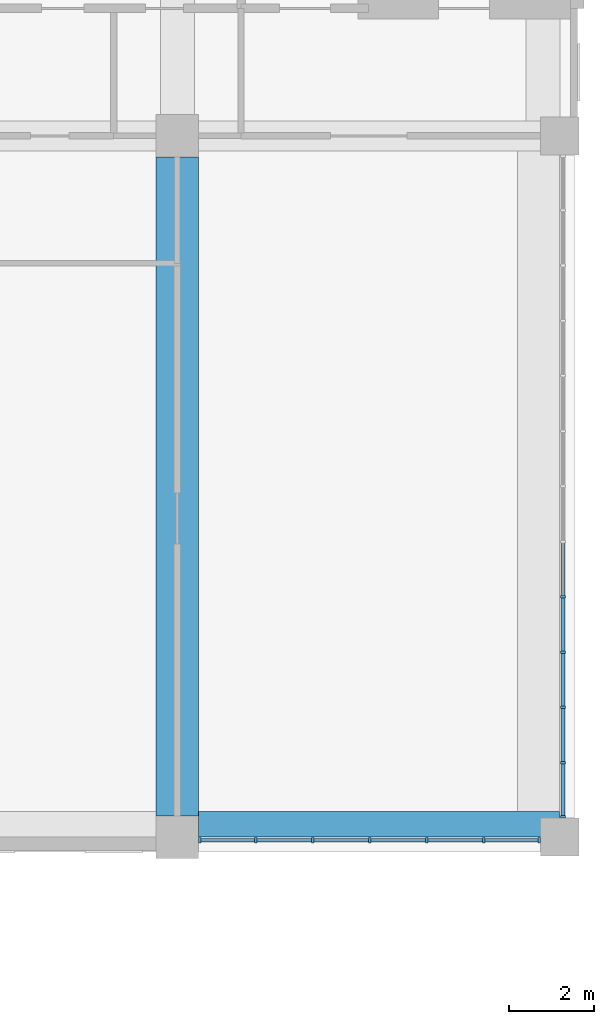
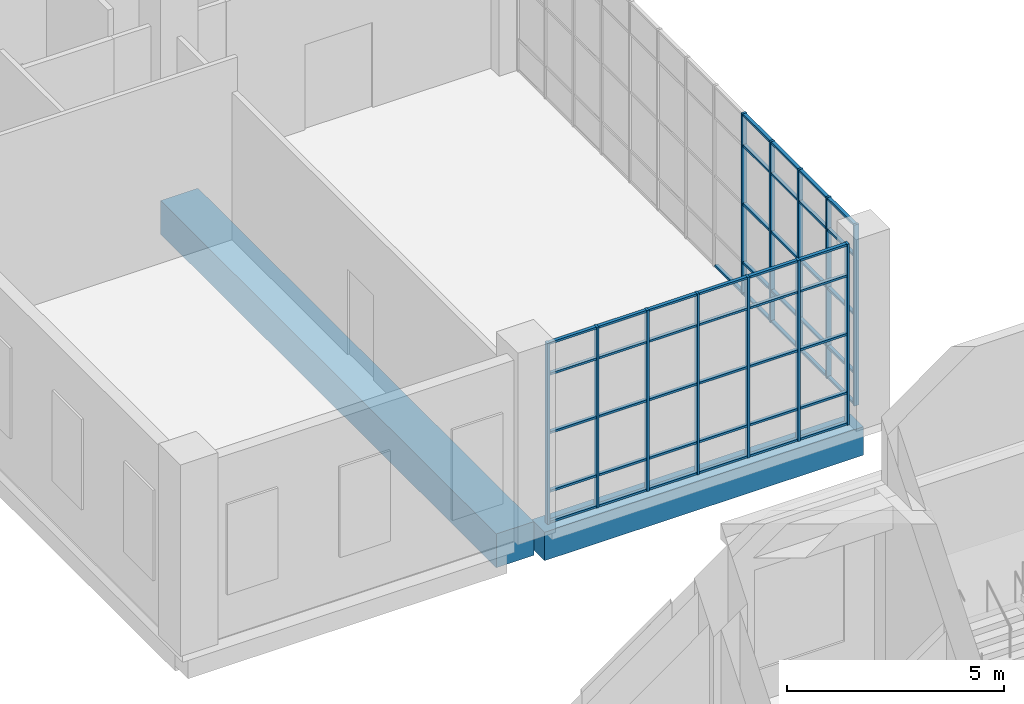
# One storey, part 18 of 52: 63 members, 2 beams, 2 elements without a shape of their own.
"""IFC4 building model written with IfcOpenShell, lengths in metres."""

from ifc_helpers import new_model, si_unit, direction, frame, origin, origin_2d, place, context, subcontext, project, spatial, rectangle, extrude, material, layer, layer_set, material_profile, profile_set, type_object, element, aggregate, save


model = new_model("IFC4")

# Units and contexts
model_context = context("Model", 3, precision=1e-05, world=origin(), true_north=direction((0.0, 1.0)))
body_context = subcontext(model_context, "Body", "Model", "MODEL_VIEW")
ifc_project = project(units=[si_unit("LENGTHUNIT", "METRE"), si_unit("AREAUNIT", "SQUARE_METRE"), si_unit("VOLUMEUNIT", "CUBIC_METRE"), si_unit("PLANEANGLEUNIT", "RADIAN"), si_unit("MASSUNIT", "GRAM", prefix="KILO")], contexts=[model_context])

# Site, building, storey
site_placement = place(None, origin())
site = spatial("IfcSite", under=ifc_project, at=site_placement, CompositionType="ELEMENT")
building_placement = place(site_placement, origin())
building = spatial("IfcBuilding", under=site, at=building_placement, Name="Aurelan Courthouse", CompositionType="ELEMENT")
storey_placement = place(building_placement, frame((0.0, 0.0, 6.60009765625)))
storey = spatial("IfcBuildingStorey", under=building, at=storey_placement, Name="L01", CompositionType="ELEMENT", Elevation=6.60009765625)

# Curtain wall, members
ifc_material_1 = material(Name="Bronze-finished aluminium and glass", Category="aluminium")
ifc_layer_1 = layer(ifc_material_1, 0.14990234375)
ifc_layer_set_1 = layer_set([ifc_layer_1], Name="Bronze-finished aluminium and glass")
curtain_wall_type_1 = type_object("IfcCurtainWallType", Name="Curtain wall 8050 x 5100", PredefinedType="NOTDEFINED", material=ifc_layer_set_1)
curtain_wall_1_placement = place(storey_placement, origin())
curtain_wall_1 = element("IfcCurtainWall", 1, at=curtain_wall_1_placement, inside=storey, type_object=curtain_wall_type_1, Name="Curtain wall CW-V3-L01-S01", PredefinedType="NOTDEFINED")
ifc_material_2 = material(Name="Bronze-finished aluminium", Category="aluminium")
ifc_material_profile_1 = material_profile(ifc_material_2, rectangle(XDim=0.125, YDim=0.06005859375, at=origin_2d()), Name="Bronze mullion 60 x 125")
ifc_profile_set_1 = profile_set([ifc_material_profile_1], Name="Bronze-finished aluminium")
member_type_1 = type_object("IfcMemberType", Name="Curtain wall mullion 60 x 125", PredefinedType="MULLION", material=ifc_profile_set_1)
member_1_placement = place(storey_placement, frame((81.530029296875, 37.425048828125, 0.0), z_axis=(0.0, 0.0, 1.0), x_axis=(0.0, 1.0, 0.0)))
member_1 = element("IfcMember", 2, at=member_1_placement, type_object=member_type_1, Name="CW-V3-L01-S01 mullion 1", PredefinedType="MULLION", context=body_context, shape_type="SweptSolid", body=[
    extrude(rectangle(XDim=0.125, YDim=0.06005859375, at=origin_2d()), origin(), (0.0, 0.0, 1.0), 5.099853515625),
])
member_2_placement = place(storey_placement, frame((82.841552734375, 37.425048828125, 0.0), z_axis=(0.0, 0.0, 1.0), x_axis=(0.0, 1.0, 0.0)))
member_2 = element("IfcMember", 3, at=member_2_placement, type_object=member_type_1, Name="CW-V3-L01-S01 mullion 2", PredefinedType="MULLION", context=body_context, shape_type="SweptSolid", body=[
    extrude(rectangle(XDim=0.125, YDim=0.06005859375, at=origin_2d()), origin(), (0.0, 0.0, 1.0), 5.099853515625),
])
member_3_placement = place(storey_placement, frame((84.183349609375, 37.425048828125, 0.0), z_axis=(0.0, 0.0, 1.0), x_axis=(0.0, 1.0, 0.0)))
member_3 = element("IfcMember", 4, at=member_3_placement, type_object=member_type_1, Name="CW-V3-L01-S01 mullion 3", PredefinedType="MULLION", context=body_context, shape_type="SweptSolid", body=[
    extrude(rectangle(XDim=0.125, YDim=0.06005859375, at=origin_2d()), origin(), (0.0, 0.0, 1.0), 5.099853515625),
])
member_4_placement = place(storey_placement, frame((85.52490234375, 37.425048828125, 0.0), z_axis=(0.0, 0.0, 1.0), x_axis=(0.0, 1.0, 0.0)))
member_4 = element("IfcMember", 5, at=member_4_placement, type_object=member_type_1, Name="CW-V3-L01-S01 mullion 4", PredefinedType="MULLION", context=body_context, shape_type="SweptSolid", body=[
    extrude(rectangle(XDim=0.125, YDim=0.06005859375, at=origin_2d()), origin(), (0.0, 0.0, 1.0), 5.099853515625),
])
member_5_placement = place(storey_placement, frame((86.86669921875, 37.425048828125, 0.0), z_axis=(0.0, 0.0, 1.0), x_axis=(0.0, 1.0, 0.0)))
member_5 = element("IfcMember", 6, at=member_5_placement, type_object=member_type_1, Name="CW-V3-L01-S01 mullion 5", PredefinedType="MULLION", context=body_context, shape_type="SweptSolid", body=[
    extrude(rectangle(XDim=0.125, YDim=0.06005859375, at=origin_2d()), origin(), (0.0, 0.0, 1.0), 5.099853515625),
])
member_6_placement = place(storey_placement, frame((88.208251953125, 37.425048828125, 0.0), z_axis=(0.0, 0.0, 1.0), x_axis=(0.0, 1.0, 0.0)))
member_6 = element("IfcMember", 7, at=member_6_placement, type_object=member_type_1, Name="CW-V3-L01-S01 mullion 6", PredefinedType="MULLION", context=body_context, shape_type="SweptSolid", body=[
    extrude(rectangle(XDim=0.125, YDim=0.06005859375, at=origin_2d()), origin(), (0.0, 0.0, 1.0), 5.099853515625),
])
member_7_placement = place(storey_placement, frame((89.52001953125, 37.425048828125, 0.0), z_axis=(0.0, 0.0, 1.0), x_axis=(0.0, 1.0, 0.0)))
member_7 = element("IfcMember", 8, at=member_7_placement, type_object=member_type_1, Name="CW-V3-L01-S01 mullion 7", PredefinedType="MULLION", context=body_context, shape_type="SweptSolid", body=[
    extrude(rectangle(XDim=0.125, YDim=0.06005859375, at=origin_2d()), origin(), (0.0, 0.0, 1.0), 5.099853515625),
])

ifc_layer_2 = layer(ifc_material_1, 0.14990234375)
ifc_layer_set_2 = layer_set([ifc_layer_2], Name="Bronze-finished aluminium and glass")
curtain_wall_type_2 = type_object("IfcCurtainWallType", Name="Curtain wall 15600 x 5100", PredefinedType="NOTDEFINED", material=ifc_layer_set_2)
curtain_wall_2_placement = place(storey_placement, origin())
curtain_wall_2 = element("IfcCurtainWall", 9, at=curtain_wall_2_placement, inside=storey, type_object=curtain_wall_type_2, Name="Curtain wall CW-V3-L01-E01", PredefinedType="NOTDEFINED")
member_8_placement = place(storey_placement, frame((90.074951171875, 37.97998046875, 0.0), z_axis=(0.0, 0.0, 1.0), x_axis=(-1.0, 0.0, 0.0)))
member_8 = element("IfcMember", 10, at=member_8_placement, type_object=member_type_1, Name="CW-V3-L01-E01 mullion 1", PredefinedType="MULLION", context=body_context, shape_type="SweptSolid", body=[
    extrude(rectangle(XDim=0.125, YDim=0.06005859375, at=origin_2d()), origin(), (0.0, 0.0, 1.0), 5.099853515625),
])
member_9_placement = place(storey_placement, frame((90.074951171875, 39.25, 0.0), z_axis=(0.0, 0.0, 1.0), x_axis=(-1.0, 0.0, 0.0)))
member_9 = element("IfcMember", 11, at=member_9_placement, type_object=member_type_1, Name="CW-V3-L01-E01 mullion 2", PredefinedType="MULLION", context=body_context, shape_type="SweptSolid", body=[
    extrude(rectangle(XDim=0.125, YDim=0.06005859375, at=origin_2d()), origin(), (0.0, 0.0, 1.0), 5.099853515625),
])
member_10_placement = place(storey_placement, frame((90.074951171875, 40.550048828125, 0.0), z_axis=(0.0, 0.0, 1.0), x_axis=(-1.0, 0.0, 0.0)))
member_10 = element("IfcMember", 12, at=member_10_placement, type_object=member_type_1, Name="CW-V3-L01-E01 mullion 3", PredefinedType="MULLION", context=body_context, shape_type="SweptSolid", body=[
    extrude(rectangle(XDim=0.125, YDim=0.06005859375, at=origin_2d()), origin(), (0.0, 0.0, 1.0), 5.099853515625),
])
member_11_placement = place(storey_placement, frame((90.074951171875, 41.85009765625, 0.0), z_axis=(0.0, 0.0, 1.0), x_axis=(-1.0, 0.0, 0.0)))
member_11 = element("IfcMember", 13, at=member_11_placement, type_object=member_type_1, Name="CW-V3-L01-E01 mullion 4", PredefinedType="MULLION", context=body_context, shape_type="SweptSolid", body=[
    extrude(rectangle(XDim=0.125, YDim=0.06005859375, at=origin_2d()), origin(), (0.0, 0.0, 1.0), 5.099853515625),
])
member_12_placement = place(storey_placement, frame((90.074951171875, 43.14990234375, 0.0), z_axis=(0.0, 0.0, 1.0), x_axis=(-1.0, 0.0, 0.0)))
member_12 = element("IfcMember", 14, at=member_12_placement, type_object=member_type_1, Name="CW-V3-L01-E01 mullion 5", PredefinedType="MULLION", context=body_context, shape_type="SweptSolid", body=[
    extrude(rectangle(XDim=0.125, YDim=0.06005859375, at=origin_2d()), origin(), (0.0, 0.0, 1.0), 5.099853515625),
])

# Member
ifc_material_profile_2 = material_profile(ifc_material_2, rectangle(XDim=0.090087890625, YDim=0.06005859375, at=origin_2d()), Name="Bronze transom 60 x 90")
ifc_profile_set_2 = profile_set([ifc_material_profile_2], Name="Bronze-finished aluminium")
member_type_2 = type_object("IfcMemberType", Name="Curtain wall transom 60 x 90", PredefinedType="USERDEFINED", material=ifc_profile_set_2)
member_13_placement = place(storey_placement, frame((81.56005859375, 37.425048828125, 0.02978515625), z_axis=(1.0, 0.0, 0.0), x_axis=(0.0, 1.0, 0.0)))
member_13 = element("IfcMember", 15, at=member_13_placement, type_object=member_type_2, Name="CW-V3-L01-S01 transom 1.1", ObjectType="TRANSOM", PredefinedType="USERDEFINED", context=body_context, shape_type="SweptSolid", body=[
    extrude(rectangle(XDim=0.090087890625, YDim=0.06005859375, at=origin_2d()), origin(), (0.0, 0.0, 1.0), 1.251708984375),
])

member_14_placement = place(storey_placement, frame((81.56005859375, 37.425048828125, 0.89990234375), z_axis=(1.0, 0.0, 0.0), x_axis=(0.0, 1.0, 0.0)))
member_14 = element("IfcMember", 16, at=member_14_placement, type_object=member_type_2, Name="CW-V3-L01-S01 transom 1.2", ObjectType="TRANSOM", PredefinedType="USERDEFINED", context=body_context, shape_type="SweptSolid", body=[
    extrude(rectangle(XDim=0.090087890625, YDim=0.06005859375, at=origin_2d()), origin(), (0.0, 0.0, 1.0), 1.251708984375),
])

member_15_placement = place(storey_placement, frame((81.56005859375, 37.425048828125, 2.5498046875), z_axis=(1.0, 0.0, 0.0), x_axis=(0.0, 1.0, 0.0)))
member_15 = element("IfcMember", 17, at=member_15_placement, type_object=member_type_2, Name="CW-V3-L01-S01 transom 1.3", ObjectType="TRANSOM", PredefinedType="USERDEFINED", context=body_context, shape_type="SweptSolid", body=[
    extrude(rectangle(XDim=0.090087890625, YDim=0.06005859375, at=origin_2d()), origin(), (0.0, 0.0, 1.0), 1.251708984375),
])

member_16_placement = place(storey_placement, frame((81.56005859375, 37.425048828125, 4.199951171875), z_axis=(1.0, 0.0, 0.0), x_axis=(0.0, 1.0, 0.0)))
member_16 = element("IfcMember", 18, at=member_16_placement, type_object=member_type_2, Name="CW-V3-L01-S01 transom 1.4", ObjectType="TRANSOM", PredefinedType="USERDEFINED", context=body_context, shape_type="SweptSolid", body=[
    extrude(rectangle(XDim=0.090087890625, YDim=0.06005859375, at=origin_2d()), origin(), (0.0, 0.0, 1.0), 1.251708984375),
])

member_17_placement = place(storey_placement, frame((81.56005859375, 37.425048828125, 5.06982421875), z_axis=(1.0, 0.0, 0.0), x_axis=(0.0, 1.0, 0.0)))
member_17 = element("IfcMember", 19, at=member_17_placement, type_object=member_type_2, Name="CW-V3-L01-S01 transom 1.5", ObjectType="TRANSOM", PredefinedType="USERDEFINED", context=body_context, shape_type="SweptSolid", body=[
    extrude(rectangle(XDim=0.090087890625, YDim=0.06005859375, at=origin_2d()), origin(), (0.0, 0.0, 1.0), 1.251708984375),
])

member_18_placement = place(storey_placement, frame((82.87158203125, 37.425048828125, 0.02978515625), z_axis=(1.0, 0.0, 0.0), x_axis=(0.0, 1.0, 0.0)))
member_18 = element("IfcMember", 20, at=member_18_placement, type_object=member_type_2, Name="CW-V3-L01-S01 transom 2.1", ObjectType="TRANSOM", PredefinedType="USERDEFINED", context=body_context, shape_type="SweptSolid", body=[
    extrude(rectangle(XDim=0.090087890625, YDim=0.06005859375, at=origin_2d()), origin(), (0.0, 0.0, 1.0), 1.28173828125),
])

member_19_placement = place(storey_placement, frame((82.87158203125, 37.425048828125, 0.89990234375), z_axis=(1.0, 0.0, 0.0), x_axis=(0.0, 1.0, 0.0)))
member_19 = element("IfcMember", 21, at=member_19_placement, type_object=member_type_2, Name="CW-V3-L01-S01 transom 2.2", ObjectType="TRANSOM", PredefinedType="USERDEFINED", context=body_context, shape_type="SweptSolid", body=[
    extrude(rectangle(XDim=0.090087890625, YDim=0.06005859375, at=origin_2d()), origin(), (0.0, 0.0, 1.0), 1.28173828125),
])

member_20_placement = place(storey_placement, frame((82.87158203125, 37.425048828125, 2.5498046875), z_axis=(1.0, 0.0, 0.0), x_axis=(0.0, 1.0, 0.0)))
member_20 = element("IfcMember", 22, at=member_20_placement, type_object=member_type_2, Name="CW-V3-L01-S01 transom 2.3", ObjectType="TRANSOM", PredefinedType="USERDEFINED", context=body_context, shape_type="SweptSolid", body=[
    extrude(rectangle(XDim=0.090087890625, YDim=0.06005859375, at=origin_2d()), origin(), (0.0, 0.0, 1.0), 1.28173828125),
])

member_21_placement = place(storey_placement, frame((82.87158203125, 37.425048828125, 4.199951171875), z_axis=(1.0, 0.0, 0.0), x_axis=(0.0, 1.0, 0.0)))
member_21 = element("IfcMember", 23, at=member_21_placement, type_object=member_type_2, Name="CW-V3-L01-S01 transom 2.4", ObjectType="TRANSOM", PredefinedType="USERDEFINED", context=body_context, shape_type="SweptSolid", body=[
    extrude(rectangle(XDim=0.090087890625, YDim=0.06005859375, at=origin_2d()), origin(), (0.0, 0.0, 1.0), 1.28173828125),
])

member_22_placement = place(storey_placement, frame((82.87158203125, 37.425048828125, 5.06982421875), z_axis=(1.0, 0.0, 0.0), x_axis=(0.0, 1.0, 0.0)))
member_22 = element("IfcMember", 24, at=member_22_placement, type_object=member_type_2, Name="CW-V3-L01-S01 transom 2.5", ObjectType="TRANSOM", PredefinedType="USERDEFINED", context=body_context, shape_type="SweptSolid", body=[
    extrude(rectangle(XDim=0.090087890625, YDim=0.06005859375, at=origin_2d()), origin(), (0.0, 0.0, 1.0), 1.28173828125),
])

member_23_placement = place(storey_placement, frame((84.21337890625, 37.425048828125, 0.02978515625), z_axis=(1.0, 0.0, 0.0), x_axis=(0.0, 1.0, 0.0)))
member_23 = element("IfcMember", 25, at=member_23_placement, type_object=member_type_2, Name="CW-V3-L01-S01 transom 3.1", ObjectType="TRANSOM", PredefinedType="USERDEFINED", context=body_context, shape_type="SweptSolid", body=[
    extrude(rectangle(XDim=0.090087890625, YDim=0.06005859375, at=origin_2d()), origin(), (0.0, 0.0, 1.0), 1.28173828125),
])

member_24_placement = place(storey_placement, frame((84.21337890625, 37.425048828125, 0.89990234375), z_axis=(1.0, 0.0, 0.0), x_axis=(0.0, 1.0, 0.0)))
member_24 = element("IfcMember", 26, at=member_24_placement, type_object=member_type_2, Name="CW-V3-L01-S01 transom 3.2", ObjectType="TRANSOM", PredefinedType="USERDEFINED", context=body_context, shape_type="SweptSolid", body=[
    extrude(rectangle(XDim=0.090087890625, YDim=0.06005859375, at=origin_2d()), origin(), (0.0, 0.0, 1.0), 1.28173828125),
])

member_25_placement = place(storey_placement, frame((84.21337890625, 37.425048828125, 2.5498046875), z_axis=(1.0, 0.0, 0.0), x_axis=(0.0, 1.0, 0.0)))
member_25 = element("IfcMember", 27, at=member_25_placement, type_object=member_type_2, Name="CW-V3-L01-S01 transom 3.3", ObjectType="TRANSOM", PredefinedType="USERDEFINED", context=body_context, shape_type="SweptSolid", body=[
    extrude(rectangle(XDim=0.090087890625, YDim=0.06005859375, at=origin_2d()), origin(), (0.0, 0.0, 1.0), 1.28173828125),
])

member_26_placement = place(storey_placement, frame((84.21337890625, 37.425048828125, 4.199951171875), z_axis=(1.0, 0.0, 0.0), x_axis=(0.0, 1.0, 0.0)))
member_26 = element("IfcMember", 28, at=member_26_placement, type_object=member_type_2, Name="CW-V3-L01-S01 transom 3.4", ObjectType="TRANSOM", PredefinedType="USERDEFINED", context=body_context, shape_type="SweptSolid", body=[
    extrude(rectangle(XDim=0.090087890625, YDim=0.06005859375, at=origin_2d()), origin(), (0.0, 0.0, 1.0), 1.28173828125),
])

member_27_placement = place(storey_placement, frame((84.21337890625, 37.425048828125, 5.06982421875), z_axis=(1.0, 0.0, 0.0), x_axis=(0.0, 1.0, 0.0)))
member_27 = element("IfcMember", 29, at=member_27_placement, type_object=member_type_2, Name="CW-V3-L01-S01 transom 3.5", ObjectType="TRANSOM", PredefinedType="USERDEFINED", context=body_context, shape_type="SweptSolid", body=[
    extrude(rectangle(XDim=0.090087890625, YDim=0.06005859375, at=origin_2d()), origin(), (0.0, 0.0, 1.0), 1.28173828125),
])

member_28_placement = place(storey_placement, frame((85.554931640625, 37.425048828125, 0.02978515625), z_axis=(1.0, 0.0, 0.0), x_axis=(0.0, 1.0, 0.0)))
member_28 = element("IfcMember", 30, at=member_28_placement, type_object=member_type_2, Name="CW-V3-L01-S01 transom 4.1", ObjectType="TRANSOM", PredefinedType="USERDEFINED", context=body_context, shape_type="SweptSolid", body=[
    extrude(rectangle(XDim=0.090087890625, YDim=0.06005859375, at=origin_2d()), origin(), (0.0, 0.0, 1.0), 1.28173828125),
])

member_29_placement = place(storey_placement, frame((85.554931640625, 37.425048828125, 0.89990234375), z_axis=(1.0, 0.0, 0.0), x_axis=(0.0, 1.0, 0.0)))
member_29 = element("IfcMember", 31, at=member_29_placement, type_object=member_type_2, Name="CW-V3-L01-S01 transom 4.2", ObjectType="TRANSOM", PredefinedType="USERDEFINED", context=body_context, shape_type="SweptSolid", body=[
    extrude(rectangle(XDim=0.090087890625, YDim=0.06005859375, at=origin_2d()), origin(), (0.0, 0.0, 1.0), 1.28173828125),
])

member_30_placement = place(storey_placement, frame((85.554931640625, 37.425048828125, 2.5498046875), z_axis=(1.0, 0.0, 0.0), x_axis=(0.0, 1.0, 0.0)))
member_30 = element("IfcMember", 32, at=member_30_placement, type_object=member_type_2, Name="CW-V3-L01-S01 transom 4.3", ObjectType="TRANSOM", PredefinedType="USERDEFINED", context=body_context, shape_type="SweptSolid", body=[
    extrude(rectangle(XDim=0.090087890625, YDim=0.06005859375, at=origin_2d()), origin(), (0.0, 0.0, 1.0), 1.28173828125),
])

member_31_placement = place(storey_placement, frame((85.554931640625, 37.425048828125, 4.199951171875), z_axis=(1.0, 0.0, 0.0), x_axis=(0.0, 1.0, 0.0)))
member_31 = element("IfcMember", 33, at=member_31_placement, type_object=member_type_2, Name="CW-V3-L01-S01 transom 4.4", ObjectType="TRANSOM", PredefinedType="USERDEFINED", context=body_context, shape_type="SweptSolid", body=[
    extrude(rectangle(XDim=0.090087890625, YDim=0.06005859375, at=origin_2d()), origin(), (0.0, 0.0, 1.0), 1.28173828125),
])

member_32_placement = place(storey_placement, frame((85.554931640625, 37.425048828125, 5.06982421875), z_axis=(1.0, 0.0, 0.0), x_axis=(0.0, 1.0, 0.0)))
member_32 = element("IfcMember", 34, at=member_32_placement, type_object=member_type_2, Name="CW-V3-L01-S01 transom 4.5", ObjectType="TRANSOM", PredefinedType="USERDEFINED", context=body_context, shape_type="SweptSolid", body=[
    extrude(rectangle(XDim=0.090087890625, YDim=0.06005859375, at=origin_2d()), origin(), (0.0, 0.0, 1.0), 1.28173828125),
])

member_33_placement = place(storey_placement, frame((86.896728515625, 37.425048828125, 0.02978515625), z_axis=(1.0, 0.0, 0.0), x_axis=(0.0, 1.0, 0.0)))
member_33 = element("IfcMember", 35, at=member_33_placement, type_object=member_type_2, Name="CW-V3-L01-S01 transom 5.1", ObjectType="TRANSOM", PredefinedType="USERDEFINED", context=body_context, shape_type="SweptSolid", body=[
    extrude(rectangle(XDim=0.090087890625, YDim=0.06005859375, at=origin_2d()), origin(), (0.0, 0.0, 1.0), 1.281494140625),
])

member_34_placement = place(storey_placement, frame((86.896728515625, 37.425048828125, 0.89990234375), z_axis=(1.0, 0.0, 0.0), x_axis=(0.0, 1.0, 0.0)))
member_34 = element("IfcMember", 36, at=member_34_placement, type_object=member_type_2, Name="CW-V3-L01-S01 transom 5.2", ObjectType="TRANSOM", PredefinedType="USERDEFINED", context=body_context, shape_type="SweptSolid", body=[
    extrude(rectangle(XDim=0.090087890625, YDim=0.06005859375, at=origin_2d()), origin(), (0.0, 0.0, 1.0), 1.281494140625),
])

member_35_placement = place(storey_placement, frame((86.896728515625, 37.425048828125, 2.5498046875), z_axis=(1.0, 0.0, 0.0), x_axis=(0.0, 1.0, 0.0)))
member_35 = element("IfcMember", 37, at=member_35_placement, type_object=member_type_2, Name="CW-V3-L01-S01 transom 5.3", ObjectType="TRANSOM", PredefinedType="USERDEFINED", context=body_context, shape_type="SweptSolid", body=[
    extrude(rectangle(XDim=0.090087890625, YDim=0.06005859375, at=origin_2d()), origin(), (0.0, 0.0, 1.0), 1.281494140625),
])

member_36_placement = place(storey_placement, frame((86.896728515625, 37.425048828125, 4.199951171875), z_axis=(1.0, 0.0, 0.0), x_axis=(0.0, 1.0, 0.0)))
member_36 = element("IfcMember", 38, at=member_36_placement, type_object=member_type_2, Name="CW-V3-L01-S01 transom 5.4", ObjectType="TRANSOM", PredefinedType="USERDEFINED", context=body_context, shape_type="SweptSolid", body=[
    extrude(rectangle(XDim=0.090087890625, YDim=0.06005859375, at=origin_2d()), origin(), (0.0, 0.0, 1.0), 1.281494140625),
])

member_37_placement = place(storey_placement, frame((86.896728515625, 37.425048828125, 5.06982421875), z_axis=(1.0, 0.0, 0.0), x_axis=(0.0, 1.0, 0.0)))
member_37 = element("IfcMember", 39, at=member_37_placement, type_object=member_type_2, Name="CW-V3-L01-S01 transom 5.5", ObjectType="TRANSOM", PredefinedType="USERDEFINED", context=body_context, shape_type="SweptSolid", body=[
    extrude(rectangle(XDim=0.090087890625, YDim=0.06005859375, at=origin_2d()), origin(), (0.0, 0.0, 1.0), 1.281494140625),
])

member_38_placement = place(storey_placement, frame((88.23828125, 37.425048828125, 0.02978515625), z_axis=(1.0, 0.0, 0.0), x_axis=(0.0, 1.0, 0.0)))
member_38 = element("IfcMember", 40, at=member_38_placement, type_object=member_type_2, Name="CW-V3-L01-S01 transom 6.1", ObjectType="TRANSOM", PredefinedType="USERDEFINED", context=body_context, shape_type="SweptSolid", body=[
    extrude(rectangle(XDim=0.090087890625, YDim=0.06005859375, at=origin_2d()), origin(), (0.0, 0.0, 1.0), 1.251708984375),
])

member_39_placement = place(storey_placement, frame((88.23828125, 37.425048828125, 0.89990234375), z_axis=(1.0, 0.0, 0.0), x_axis=(0.0, 1.0, 0.0)))
member_39 = element("IfcMember", 41, at=member_39_placement, type_object=member_type_2, Name="CW-V3-L01-S01 transom 6.2", ObjectType="TRANSOM", PredefinedType="USERDEFINED", context=body_context, shape_type="SweptSolid", body=[
    extrude(rectangle(XDim=0.090087890625, YDim=0.06005859375, at=origin_2d()), origin(), (0.0, 0.0, 1.0), 1.251708984375),
])

member_40_placement = place(storey_placement, frame((88.23828125, 37.425048828125, 2.5498046875), z_axis=(1.0, 0.0, 0.0), x_axis=(0.0, 1.0, 0.0)))
member_40 = element("IfcMember", 42, at=member_40_placement, type_object=member_type_2, Name="CW-V3-L01-S01 transom 6.3", ObjectType="TRANSOM", PredefinedType="USERDEFINED", context=body_context, shape_type="SweptSolid", body=[
    extrude(rectangle(XDim=0.090087890625, YDim=0.06005859375, at=origin_2d()), origin(), (0.0, 0.0, 1.0), 1.251708984375),
])

member_41_placement = place(storey_placement, frame((88.23828125, 37.425048828125, 4.199951171875), z_axis=(1.0, 0.0, 0.0), x_axis=(0.0, 1.0, 0.0)))
member_41 = element("IfcMember", 43, at=member_41_placement, type_object=member_type_2, Name="CW-V3-L01-S01 transom 6.4", ObjectType="TRANSOM", PredefinedType="USERDEFINED", context=body_context, shape_type="SweptSolid", body=[
    extrude(rectangle(XDim=0.090087890625, YDim=0.06005859375, at=origin_2d()), origin(), (0.0, 0.0, 1.0), 1.251708984375),
])

member_42_placement = place(storey_placement, frame((88.23828125, 37.425048828125, 5.06982421875), z_axis=(1.0, 0.0, 0.0), x_axis=(0.0, 1.0, 0.0)))
member_42 = element("IfcMember", 44, at=member_42_placement, type_object=member_type_2, Name="CW-V3-L01-S01 transom 6.5", ObjectType="TRANSOM", PredefinedType="USERDEFINED", context=body_context, shape_type="SweptSolid", body=[
    extrude(rectangle(XDim=0.090087890625, YDim=0.06005859375, at=origin_2d()), origin(), (0.0, 0.0, 1.0), 1.251708984375),
])

aggregate(curtain_wall_1, [member_1, member_2, member_3, member_4, member_5, member_6, member_7, member_13, member_14, member_15, member_16, member_17, member_18, member_19, member_20, member_21, member_22, member_23, member_24, member_25, member_26, member_27, member_28, member_29, member_30, member_31, member_32, member_33, member_34, member_35, member_36, member_37, member_38, member_39, member_40, member_41, member_42])

member_43_placement = place(storey_placement, frame((90.074951171875, 38.010009765625, 0.02978515625), z_axis=(0.0, 1.0, 0.0), x_axis=(-1.0, 0.0, 0.0)))
member_43 = element("IfcMember", 45, at=member_43_placement, type_object=member_type_2, Name="CW-V3-L01-E01 transom 1.1", ObjectType="TRANSOM", PredefinedType="USERDEFINED", context=body_context, shape_type="SweptSolid", body=[
    extrude(rectangle(XDim=0.090087890625, YDim=0.06005859375, at=origin_2d()), origin(), (0.0, 0.0, 1.0), 1.2099609375),
])

member_44_placement = place(storey_placement, frame((90.074951171875, 38.010009765625, 0.89990234375), z_axis=(0.0, 1.0, 0.0), x_axis=(-1.0, 0.0, 0.0)))
member_44 = element("IfcMember", 46, at=member_44_placement, type_object=member_type_2, Name="CW-V3-L01-E01 transom 1.2", ObjectType="TRANSOM", PredefinedType="USERDEFINED", context=body_context, shape_type="SweptSolid", body=[
    extrude(rectangle(XDim=0.090087890625, YDim=0.06005859375, at=origin_2d()), origin(), (0.0, 0.0, 1.0), 1.2099609375),
])

member_45_placement = place(storey_placement, frame((90.074951171875, 38.010009765625, 2.5498046875), z_axis=(0.0, 1.0, 0.0), x_axis=(-1.0, 0.0, 0.0)))
member_45 = element("IfcMember", 47, at=member_45_placement, type_object=member_type_2, Name="CW-V3-L01-E01 transom 1.3", ObjectType="TRANSOM", PredefinedType="USERDEFINED", context=body_context, shape_type="SweptSolid", body=[
    extrude(rectangle(XDim=0.090087890625, YDim=0.06005859375, at=origin_2d()), origin(), (0.0, 0.0, 1.0), 1.2099609375),
])

member_46_placement = place(storey_placement, frame((90.074951171875, 38.010009765625, 4.199951171875), z_axis=(0.0, 1.0, 0.0), x_axis=(-1.0, 0.0, 0.0)))
member_46 = element("IfcMember", 48, at=member_46_placement, type_object=member_type_2, Name="CW-V3-L01-E01 transom 1.4", ObjectType="TRANSOM", PredefinedType="USERDEFINED", context=body_context, shape_type="SweptSolid", body=[
    extrude(rectangle(XDim=0.090087890625, YDim=0.06005859375, at=origin_2d()), origin(), (0.0, 0.0, 1.0), 1.2099609375),
])

member_47_placement = place(storey_placement, frame((90.074951171875, 38.010009765625, 5.06982421875), z_axis=(0.0, 1.0, 0.0), x_axis=(-1.0, 0.0, 0.0)))
member_47 = element("IfcMember", 49, at=member_47_placement, type_object=member_type_2, Name="CW-V3-L01-E01 transom 1.5", ObjectType="TRANSOM", PredefinedType="USERDEFINED", context=body_context, shape_type="SweptSolid", body=[
    extrude(rectangle(XDim=0.090087890625, YDim=0.06005859375, at=origin_2d()), origin(), (0.0, 0.0, 1.0), 1.2099609375),
])

member_48_placement = place(storey_placement, frame((90.074951171875, 39.280029296875, 0.02978515625), z_axis=(0.0, 1.0, 0.0), x_axis=(-1.0, 0.0, 0.0)))
member_48 = element("IfcMember", 50, at=member_48_placement, type_object=member_type_2, Name="CW-V3-L01-E01 transom 2.1", ObjectType="TRANSOM", PredefinedType="USERDEFINED", context=body_context, shape_type="SweptSolid", body=[
    extrude(rectangle(XDim=0.090087890625, YDim=0.06005859375, at=origin_2d()), origin(), (0.0, 0.0, 1.0), 1.239990234375),
])

member_49_placement = place(storey_placement, frame((90.074951171875, 39.280029296875, 0.89990234375), z_axis=(0.0, 1.0, 0.0), x_axis=(-1.0, 0.0, 0.0)))
member_49 = element("IfcMember", 51, at=member_49_placement, type_object=member_type_2, Name="CW-V3-L01-E01 transom 2.2", ObjectType="TRANSOM", PredefinedType="USERDEFINED", context=body_context, shape_type="SweptSolid", body=[
    extrude(rectangle(XDim=0.090087890625, YDim=0.06005859375, at=origin_2d()), origin(), (0.0, 0.0, 1.0), 1.239990234375),
])

member_50_placement = place(storey_placement, frame((90.074951171875, 39.280029296875, 2.5498046875), z_axis=(0.0, 1.0, 0.0), x_axis=(-1.0, 0.0, 0.0)))
member_50 = element("IfcMember", 52, at=member_50_placement, type_object=member_type_2, Name="CW-V3-L01-E01 transom 2.3", ObjectType="TRANSOM", PredefinedType="USERDEFINED", context=body_context, shape_type="SweptSolid", body=[
    extrude(rectangle(XDim=0.090087890625, YDim=0.06005859375, at=origin_2d()), origin(), (0.0, 0.0, 1.0), 1.239990234375),
])

member_51_placement = place(storey_placement, frame((90.074951171875, 39.280029296875, 4.199951171875), z_axis=(0.0, 1.0, 0.0), x_axis=(-1.0, 0.0, 0.0)))
member_51 = element("IfcMember", 53, at=member_51_placement, type_object=member_type_2, Name="CW-V3-L01-E01 transom 2.4", ObjectType="TRANSOM", PredefinedType="USERDEFINED", context=body_context, shape_type="SweptSolid", body=[
    extrude(rectangle(XDim=0.090087890625, YDim=0.06005859375, at=origin_2d()), origin(), (0.0, 0.0, 1.0), 1.239990234375),
])

member_52_placement = place(storey_placement, frame((90.074951171875, 39.280029296875, 5.06982421875), z_axis=(0.0, 1.0, 0.0), x_axis=(-1.0, 0.0, 0.0)))
member_52 = element("IfcMember", 54, at=member_52_placement, type_object=member_type_2, Name="CW-V3-L01-E01 transom 2.5", ObjectType="TRANSOM", PredefinedType="USERDEFINED", context=body_context, shape_type="SweptSolid", body=[
    extrude(rectangle(XDim=0.090087890625, YDim=0.06005859375, at=origin_2d()), origin(), (0.0, 0.0, 1.0), 1.239990234375),
])

member_53_placement = place(storey_placement, frame((90.074951171875, 40.580078125, 0.02978515625), z_axis=(0.0, 1.0, 0.0), x_axis=(-1.0, 0.0, 0.0)))
member_53 = element("IfcMember", 55, at=member_53_placement, type_object=member_type_2, Name="CW-V3-L01-E01 transom 3.1", ObjectType="TRANSOM", PredefinedType="USERDEFINED", context=body_context, shape_type="SweptSolid", body=[
    extrude(rectangle(XDim=0.090087890625, YDim=0.06005859375, at=origin_2d()), origin(), (0.0, 0.0, 1.0), 1.239990234375),
])

member_54_placement = place(storey_placement, frame((90.074951171875, 40.580078125, 0.89990234375), z_axis=(0.0, 1.0, 0.0), x_axis=(-1.0, 0.0, 0.0)))
member_54 = element("IfcMember", 56, at=member_54_placement, type_object=member_type_2, Name="CW-V3-L01-E01 transom 3.2", ObjectType="TRANSOM", PredefinedType="USERDEFINED", context=body_context, shape_type="SweptSolid", body=[
    extrude(rectangle(XDim=0.090087890625, YDim=0.06005859375, at=origin_2d()), origin(), (0.0, 0.0, 1.0), 1.239990234375),
])

member_55_placement = place(storey_placement, frame((90.074951171875, 40.580078125, 2.5498046875), z_axis=(0.0, 1.0, 0.0), x_axis=(-1.0, 0.0, 0.0)))
member_55 = element("IfcMember", 57, at=member_55_placement, type_object=member_type_2, Name="CW-V3-L01-E01 transom 3.3", ObjectType="TRANSOM", PredefinedType="USERDEFINED", context=body_context, shape_type="SweptSolid", body=[
    extrude(rectangle(XDim=0.090087890625, YDim=0.06005859375, at=origin_2d()), origin(), (0.0, 0.0, 1.0), 1.239990234375),
])

member_56_placement = place(storey_placement, frame((90.074951171875, 40.580078125, 4.199951171875), z_axis=(0.0, 1.0, 0.0), x_axis=(-1.0, 0.0, 0.0)))
member_56 = element("IfcMember", 58, at=member_56_placement, type_object=member_type_2, Name="CW-V3-L01-E01 transom 3.4", ObjectType="TRANSOM", PredefinedType="USERDEFINED", context=body_context, shape_type="SweptSolid", body=[
    extrude(rectangle(XDim=0.090087890625, YDim=0.06005859375, at=origin_2d()), origin(), (0.0, 0.0, 1.0), 1.239990234375),
])

member_57_placement = place(storey_placement, frame((90.074951171875, 40.580078125, 5.06982421875), z_axis=(0.0, 1.0, 0.0), x_axis=(-1.0, 0.0, 0.0)))
member_57 = element("IfcMember", 59, at=member_57_placement, type_object=member_type_2, Name="CW-V3-L01-E01 transom 3.5", ObjectType="TRANSOM", PredefinedType="USERDEFINED", context=body_context, shape_type="SweptSolid", body=[
    extrude(rectangle(XDim=0.090087890625, YDim=0.06005859375, at=origin_2d()), origin(), (0.0, 0.0, 1.0), 1.239990234375),
])

member_58_placement = place(storey_placement, frame((90.074951171875, 41.8798828125, 0.02978515625), z_axis=(0.0, 1.0, 0.0), x_axis=(-1.0, 0.0, 0.0)))
member_58 = element("IfcMember", 60, at=member_58_placement, type_object=member_type_2, Name="CW-V3-L01-E01 transom 4.1", ObjectType="TRANSOM", PredefinedType="USERDEFINED", context=body_context, shape_type="SweptSolid", body=[
    extrude(rectangle(XDim=0.090087890625, YDim=0.06005859375, at=origin_2d()), origin(), (0.0, 0.0, 1.0), 1.240234375),
])

member_59_placement = place(storey_placement, frame((90.074951171875, 41.8798828125, 0.89990234375), z_axis=(0.0, 1.0, 0.0), x_axis=(-1.0, 0.0, 0.0)))
member_59 = element("IfcMember", 61, at=member_59_placement, type_object=member_type_2, Name="CW-V3-L01-E01 transom 4.2", ObjectType="TRANSOM", PredefinedType="USERDEFINED", context=body_context, shape_type="SweptSolid", body=[
    extrude(rectangle(XDim=0.090087890625, YDim=0.06005859375, at=origin_2d()), origin(), (0.0, 0.0, 1.0), 1.240234375),
])

member_60_placement = place(storey_placement, frame((90.074951171875, 41.8798828125, 2.5498046875), z_axis=(0.0, 1.0, 0.0), x_axis=(-1.0, 0.0, 0.0)))
member_60 = element("IfcMember", 62, at=member_60_placement, type_object=member_type_2, Name="CW-V3-L01-E01 transom 4.3", ObjectType="TRANSOM", PredefinedType="USERDEFINED", context=body_context, shape_type="SweptSolid", body=[
    extrude(rectangle(XDim=0.090087890625, YDim=0.06005859375, at=origin_2d()), origin(), (0.0, 0.0, 1.0), 1.240234375),
])

member_61_placement = place(storey_placement, frame((90.074951171875, 41.8798828125, 4.199951171875), z_axis=(0.0, 1.0, 0.0), x_axis=(-1.0, 0.0, 0.0)))
member_61 = element("IfcMember", 63, at=member_61_placement, type_object=member_type_2, Name="CW-V3-L01-E01 transom 4.4", ObjectType="TRANSOM", PredefinedType="USERDEFINED", context=body_context, shape_type="SweptSolid", body=[
    extrude(rectangle(XDim=0.090087890625, YDim=0.06005859375, at=origin_2d()), origin(), (0.0, 0.0, 1.0), 1.240234375),
])

member_62_placement = place(storey_placement, frame((90.074951171875, 41.8798828125, 5.06982421875), z_axis=(0.0, 1.0, 0.0), x_axis=(-1.0, 0.0, 0.0)))
member_62 = element("IfcMember", 64, at=member_62_placement, type_object=member_type_2, Name="CW-V3-L01-E01 transom 4.5", ObjectType="TRANSOM", PredefinedType="USERDEFINED", context=body_context, shape_type="SweptSolid", body=[
    extrude(rectangle(XDim=0.090087890625, YDim=0.06005859375, at=origin_2d()), origin(), (0.0, 0.0, 1.0), 1.240234375),
])

member_63_placement = place(storey_placement, frame((90.074951171875, 43.179931640625, 0.02978515625), z_axis=(0.0, 1.0, 0.0), x_axis=(-1.0, 0.0, 0.0)))
member_63 = element("IfcMember", 65, at=member_63_placement, type_object=member_type_2, Name="CW-V3-L01-E01 transom 5.1", ObjectType="TRANSOM", PredefinedType="USERDEFINED", context=body_context, shape_type="SweptSolid", body=[
    extrude(rectangle(XDim=0.090087890625, YDim=0.06005859375, at=origin_2d()), origin(), (0.0, 0.0, 1.0), 1.239990234375),
])

aggregate(curtain_wall_2, [member_8, member_9, member_10, member_11, member_12, member_43, member_44, member_45, member_46, member_47, member_48, member_49, member_50, member_51, member_52, member_53, member_54, member_55, member_56, member_57, member_58, member_59, member_60, member_61, member_62, member_63])

# Beams
ifc_material_3 = material(Name="Concrete C50", Category="concrete")
ifc_material_profile_3 = material_profile(ifc_material_3, rectangle(XDim=1.0, YDim=0.949951171875, at=origin_2d()), Name="RC 1000 x 950")
ifc_profile_set_3 = profile_set([ifc_material_profile_3], Name="Concrete C50")
beam_type_1 = type_object("IfcBeamType", Name="PT girder 1000 x 950", PredefinedType="BEAM", material=ifc_profile_set_3)
beam_1_placement = place(storey_placement, frame((81.0, 38.0, -0.775146484375), z_axis=(0.0, 1.0, 0.0), x_axis=(-1.0, 0.0, 0.0)))
element("IfcBeam", 66, at=beam_1_placement, inside=storey, type_object=beam_type_1, Name="Girder GB-10DE", PredefinedType="BEAM", context=body_context, shape_type="SweptSolid", body=[
    extrude(rectangle(XDim=1.0, YDim=0.949951171875, at=origin_2d()), origin(), (0.0, 0.0, 1.0), 15.5),
])
ifc_material_profile_4 = material_profile(ifc_material_3, rectangle(XDim=0.60009765625, YDim=0.800048828125, at=origin_2d()), Name="RC 600 x 800")
ifc_profile_set_4 = profile_set([ifc_material_profile_4], Name="Concrete C50")
beam_type_2 = type_object("IfcBeamType", Name="RC spandrel beam 600 x 800", PredefinedType="SPANDREL", material=ifc_profile_set_4)
beam_2_placement = place(storey_placement, frame((81.5, 37.800048828125, -0.7001953125), z_axis=(1.0, 0.0, 0.0), x_axis=(0.0, 1.0, 0.0)))
element("IfcBeam", 67, at=beam_2_placement, inside=storey, type_object=beam_type_2, Name="Spandrel beam SB-D-10-11", PredefinedType="SPANDREL", context=body_context, shape_type="SweptSolid", body=[
    extrude(rectangle(XDim=0.60009765625, YDim=0.800048828125, at=origin_2d()), origin(), (0.0, 0.0, 1.0), 8.5),
])

save(model, "model.ifc")
